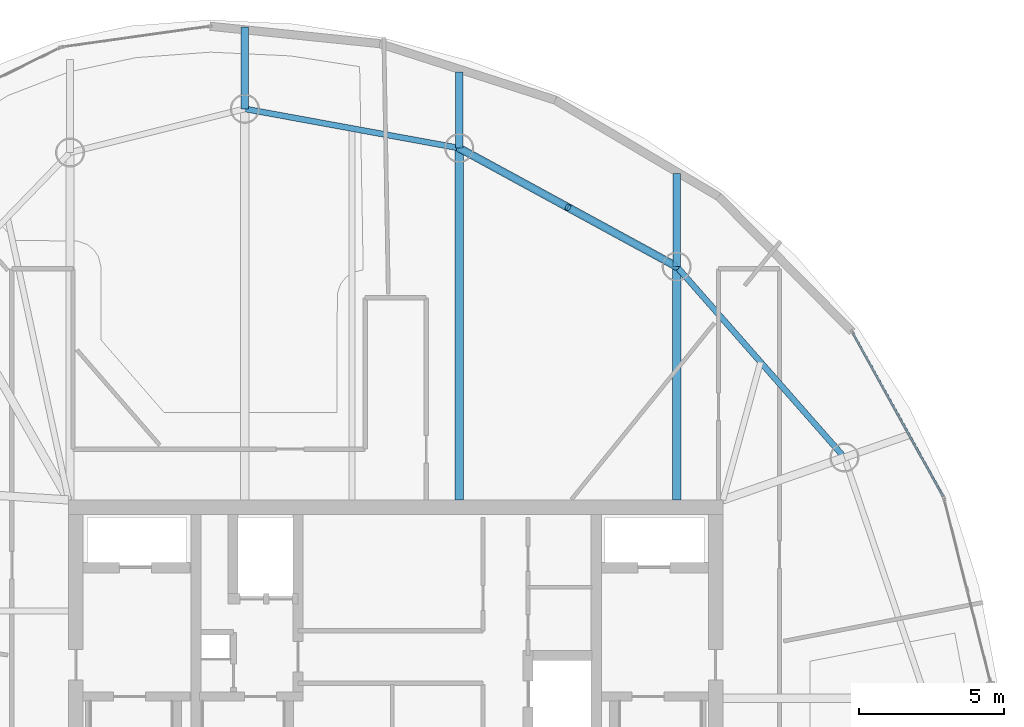
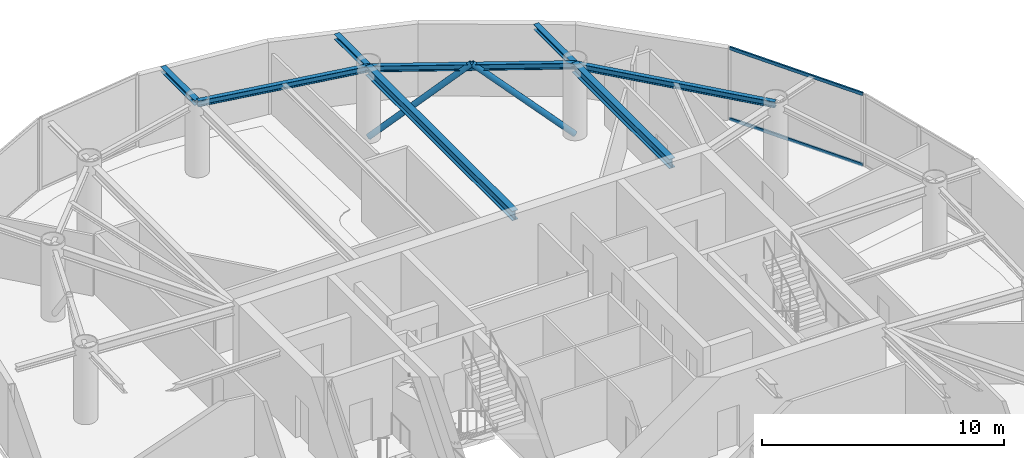
# One storey, part 12 of 20: 8 beams, 4 members, 1 element without a shape of its own.
"""IFC4 building model written with IfcOpenShell, lengths in metres."""

from ifc_helpers import new_model, si_unit, direction, frame, origin, origin_2d, place, context, subcontext, project, spatial, hollow_rectangle, hollow_circle, i_section, extrude, material, layer, layer_set, material_profile, profile_set, type_object, element, aggregate, save


model = new_model("IFC4")

# Units and contexts
model_context = context("Model", 3, precision=1e-05, world=origin(), true_north=direction((0.0, 1.0)))
body_context = subcontext(model_context, "Body", "Model", "MODEL_VIEW")
ifc_project = project(units=[si_unit("LENGTHUNIT", "METRE"), si_unit("AREAUNIT", "SQUARE_METRE"), si_unit("VOLUMEUNIT", "CUBIC_METRE"), si_unit("PLANEANGLEUNIT", "RADIAN"), si_unit("MASSUNIT", "GRAM", prefix="KILO")], contexts=[model_context])

# Site, building, storey
site_placement = place(None, origin())
site = spatial("IfcSite", under=ifc_project, at=site_placement, CompositionType="ELEMENT")
building_placement = place(site_placement, origin())
building = spatial("IfcBuilding", under=site, at=building_placement, Name="Bramvorn Convention Spire", CompositionType="ELEMENT")
storey_placement = place(building_placement, frame((0.0, 0.0, 245.89990234375)))
storey = spatial("IfcBuildingStorey", under=building, at=storey_placement, Name="L62", CompositionType="ELEMENT", Elevation=245.89990234375)

# Beams
ifc_material_1 = material(Name="Steel CSA G40.21 Grade 350 (350W)", Category="steel")
ifc_material_profile_1 = material_profile(ifc_material_1, i_section(OverallWidth=0.25390625, OverallDepth=0.2529296875, WebThickness=0.008544921875, FlangeThickness=0.01416015625, FilletRadius=0.011962890625, at=origin_2d()))
ifc_profile_set_1 = profile_set([ifc_material_profile_1], Name="Steel CSA G40.21 Grade 350 (350W) - W250X73")
beam_type_1 = type_object("IfcBeamType", Name="BM-W250X73", PredefinedType="BEAM", material=ifc_profile_set_1)
beam_1_placement = place(storey_placement, frame((47.662353515625, 41.476806640625, 3.49853515625), z_axis=(0.0, 1.0, 0.0), x_axis=(-1.0, 0.0, 0.0)))
element("IfcBeam", 1, at=beam_1_placement, inside=storey, type_object=beam_type_1, Name="L62 slab-edge cantilever tip beam MC06", PredefinedType="BEAM", context=body_context, shape_type="SweptSolid", body=[
    extrude(i_section(OverallWidth=0.25390625, OverallDepth=0.2529296875, WebThickness=0.008544921875, FlangeThickness=0.01416015625, FilletRadius=0.011962890625, at=origin_2d()), origin(), (0.0, 0.0, 1.0), 3.199951171875),
])
beam_2_placement = place(storey_placement, frame((40.1845703125, 45.55078125, 3.49853515625), z_axis=(0.0, 1.0, 0.0), x_axis=(-1.0, 0.0, 0.0)))
element("IfcBeam", 2, at=beam_2_placement, inside=storey, type_object=beam_type_1, Name="L62 slab-edge cantilever tip beam MC07", PredefinedType="BEAM", context=body_context, shape_type="SweptSolid", body=[
    extrude(i_section(OverallWidth=0.25390625, OverallDepth=0.2529296875, WebThickness=0.008544921875, FlangeThickness=0.01416015625, FilletRadius=0.011962890625, at=origin_2d()), origin(), (0.0, 0.0, 1.0), 2.62353515625),
])
beam_3_placement = place(storey_placement, frame((32.8115234375, 46.90087890625, 3.49853515625), z_axis=(0.0, 1.0, 0.0), x_axis=(-1.0, 0.0, 0.0)))
element("IfcBeam", 3, at=beam_3_placement, inside=storey, type_object=beam_type_1, Name="L62 slab-edge cantilever tip beam MC08", PredefinedType="BEAM", context=body_context, shape_type="SweptSolid", body=[
    extrude(i_section(OverallWidth=0.25390625, OverallDepth=0.2529296875, WebThickness=0.008544921875, FlangeThickness=0.01416015625, FilletRadius=0.011962890625, at=origin_2d()), origin(), (0.0, 0.0, 1.0), 2.814697265625),
])
ifc_material_profile_2 = material_profile(ifc_material_1, i_section(OverallWidth=0.202880859375, OverallDepth=0.302978515625, WebThickness=0.007568359375, FlangeThickness=0.01318359375, FilletRadius=0.013916015625, at=origin_2d()))
ifc_profile_set_2 = profile_set([ifc_material_profile_2], Name="Steel CSA G40.21 Grade 350 (350W) - W310X60")
beam_type_2 = type_object("IfcBeamType", Name="BM-W310X60", PredefinedType="JOIST", material=ifc_profile_set_2)
beam_4_placement = place(storey_placement, frame((53.4326171875, 34.909912109375, 3.4736328125), z_axis=(-0.660073062339, 0.751201405999, 0.0), x_axis=(-0.751201405999, -0.660073062339, 0.0)))
element("IfcBeam", 4, at=beam_4_placement, inside=storey, type_object=beam_type_2, Name="L62 mega-column ring beam 05", PredefinedType="JOIST", context=body_context, shape_type="SweptSolid", body=[
    extrude(i_section(OverallWidth=0.202880859375, OverallDepth=0.302978515625, WebThickness=0.007568359375, FlangeThickness=0.01318359375, FilletRadius=0.013916015625, at=origin_2d()), origin(), (0.0, 0.0, 1.0), 8.741943359375),
])
beam_5_placement = place(storey_placement, frame((47.662353515625, 41.476806640625, 3.4736328125), z_axis=(-0.878133224771, 0.478416178189, 0.0), x_axis=(-0.478416178189, -0.878133224771, 0.0)))
element("IfcBeam", 5, at=beam_5_placement, inside=storey, type_object=beam_type_2, Name="L62 mega-column ring beam 06", PredefinedType="JOIST", context=body_context, shape_type="SweptSolid", body=[
    extrude(i_section(OverallWidth=0.202880859375, OverallDepth=0.302978515625, WebThickness=0.007568359375, FlangeThickness=0.01318359375, FilletRadius=0.013916015625, at=origin_2d()), origin(), (0.0, 0.0, 1.0), 8.515625),
])
beam_6_placement = place(storey_placement, frame((40.1845703125, 45.55078125, 3.4736328125), z_axis=(-0.983645049461, 0.180117785547, 0.0), x_axis=(-0.180117785547, -0.983645049461, 0.0)))
element("IfcBeam", 6, at=beam_6_placement, inside=storey, type_object=beam_type_2, Name="L62 mega-column ring beam 07", PredefinedType="JOIST", context=body_context, shape_type="SweptSolid", body=[
    extrude(i_section(OverallWidth=0.202880859375, OverallDepth=0.302978515625, WebThickness=0.007568359375, FlangeThickness=0.01318359375, FilletRadius=0.013916015625, at=origin_2d()), origin(), (0.0, 0.0, 1.0), 7.49560546875),
])
ifc_material_profile_3 = material_profile(ifc_material_1, i_section(OverallWidth=0.283935546875, OverallDepth=0.47607421875, WebThickness=0.014892578125, FlangeThickness=0.02392578125, FilletRadius=0.01806640625, at=origin_2d()))
ifc_profile_set_3 = profile_set([ifc_material_profile_3], Name="Steel CSA G40.21 Grade 350 (350W) - W460X158")
beam_type_3 = type_object("IfcBeamType", Name="BM-W460X158", PredefinedType="SPANDREL", material=ifc_profile_set_3)
beam_7_placement = place(storey_placement, frame((47.662353515625, 33.449951171875, 3.38720703125), z_axis=(0.0, 1.0, 0.0), x_axis=(-1.0, 0.0, 0.0)))
element("IfcBeam", 7, at=beam_7_placement, inside=storey, type_object=beam_type_3, Name="L62 radial floor girder MC06", PredefinedType="SPANDREL", context=body_context, shape_type="SweptSolid", body=[
    extrude(i_section(OverallWidth=0.283935546875, OverallDepth=0.47607421875, WebThickness=0.014892578125, FlangeThickness=0.02392578125, FilletRadius=0.01806640625, at=origin_2d()), origin(), (0.0, 0.0, 1.0), 8.02685546875),
])
beam_8_placement = place(storey_placement, frame((40.1845703125, 33.449951171875, 3.38720703125), z_axis=(0.0, 1.0, 0.0), x_axis=(-1.0, 0.0, 0.0)))
element("IfcBeam", 8, at=beam_8_placement, inside=storey, type_object=beam_type_3, Name="L62 radial floor girder MC07", PredefinedType="SPANDREL", context=body_context, shape_type="SweptSolid", body=[
    extrude(i_section(OverallWidth=0.283935546875, OverallDepth=0.47607421875, WebThickness=0.014892578125, FlangeThickness=0.02392578125, FilletRadius=0.01806640625, at=origin_2d()), origin(), (0.0, 0.0, 1.0), 12.100830078125),
])

# Curtain wall, members
ifc_material_2 = material(Name="Anodised Bronze Unitised Curtain Wall", Category="aluminium")
ifc_layer = layer(ifc_material_2, 0.179931640625)
ifc_layer_set = layer_set([ifc_layer], Name="Anodised Bronze Unitised Curtain Wall - CW-OFF-FRIT")
curtain_wall_type = type_object("IfcCurtainWallType", Name="CW-OFF-FRIT", PredefinedType="USERDEFINED", material=ifc_layer_set)
curtain_wall_placement = place(storey_placement, origin())
curtain_wall = element("IfcCurtainWall", 9, at=curtain_wall_placement, inside=storey, type_object=curtain_wall_type, Name="L62 fritted glass curtain wall 06", ObjectType="UNITISED CURTAIN WALL", PredefinedType="USERDEFINED")
ifc_material_3 = material(Name="Anodised Bronze Aluminium 6063-T6", Category="aluminium")
ifc_material_profile_4 = material_profile(ifc_material_3, hollow_rectangle(XDim=0.080078125, YDim=0.159912109375, WallThickness=0.00390625, InnerFilletRadius=0.0009765625, OuterFilletRadius=0.00390625, at=origin_2d()))
ifc_profile_set_4 = profile_set([ifc_material_profile_4], Name="Anodised Bronze Aluminium 6063-T6 - CWT80X160")
member_type_1 = type_object("IfcMemberType", Name="CW-TRN-150", PredefinedType="USERDEFINED", material=ifc_profile_set_4)
member_1_placement = place(storey_placement, frame((53.723876953125, 39.1875, 0.030029296875), z_axis=(0.483554749496, -0.875314117469, 0.0), x_axis=(0.875314117469, 0.483554749496, 0.0)))
member_1 = element("IfcMember", 10, at=member_1_placement, type_object=member_type_1, Name="CW3 transom 1.1", ObjectType="TRANSOM", PredefinedType="USERDEFINED", context=body_context, shape_type="SweptSolid", body=[
    extrude(hollow_rectangle(XDim=0.080078125, YDim=0.159912109375, WallThickness=0.00390625, InnerFilletRadius=0.0009765625, OuterFilletRadius=0.00390625, at=origin_2d()), origin(), (0.0, 0.0, 1.0), 6.406982421875),
])
member_2_placement = place(storey_placement, frame((53.723876953125, 39.1875, 3.59521484375), z_axis=(0.483554749496, -0.875314117469, 0.0), x_axis=(0.875314117469, 0.483554749496, 0.0)))
member_2 = element("IfcMember", 11, at=member_2_placement, type_object=member_type_1, Name="CW3 transom 1.2", ObjectType="TRANSOM", PredefinedType="USERDEFINED", context=body_context, shape_type="SweptSolid", body=[
    extrude(hollow_rectangle(XDim=0.080078125, YDim=0.159912109375, WallThickness=0.00390625, InnerFilletRadius=0.0009765625, OuterFilletRadius=0.00390625, at=origin_2d()), origin(), (0.0, 0.0, 1.0), 6.406982421875),
])
aggregate(curtain_wall, [member_1, member_2])

# Members
ifc_material_profile_5 = material_profile(ifc_material_1, hollow_circle(Radius=0.136474609375, WallThickness=0.0126953125, at=origin_2d()))
ifc_profile_set_5 = profile_set([ifc_material_profile_5], Name="Steel CSA G40.21 Grade 350 (350W) - CHS273X13")
member_type_2 = type_object("IfcMemberType", Name="MBR-CHS273X13", PredefinedType="BRACE", material=ifc_profile_set_5)
member_3_placement = place(storey_placement, frame((47.662353515625, 41.476806640625, 0.0), z_axis=(-0.668634081548, 0.364288787231, 0.648245435379), x_axis=(-0.478426241072, -0.878127742332, 0.0)))
element("IfcMember", 12, at=member_3_placement, inside=storey, type_object=member_type_2, Name="L62 perimeter Gothic lancet brace 6A", PredefinedType="BRACE", context=body_context, shape_type="SweptSolid", body=[
    extrude(hollow_circle(Radius=0.136474609375, WallThickness=0.0126953125, at=origin_2d()), origin(), (0.0, 0.0, 1.0), 5.592041015625),
])
member_4_placement = place(storey_placement, frame((40.1845703125, 45.55078125, 0.0), z_axis=(0.668620574392, -0.364261554927, 0.64827466949), x_axis=(0.478406114461, 0.878138707521, 0.0)))
element("IfcMember", 13, at=member_4_placement, inside=storey, type_object=member_type_2, Name="L62 perimeter Gothic lancet brace 6B", PredefinedType="BRACE", context=body_context, shape_type="SweptSolid", body=[
    extrude(hollow_circle(Radius=0.136474609375, WallThickness=0.0126953125, at=origin_2d()), origin(), (0.0, 0.0, 1.0), 5.591796875),
])

save(model, "model.ifc")
